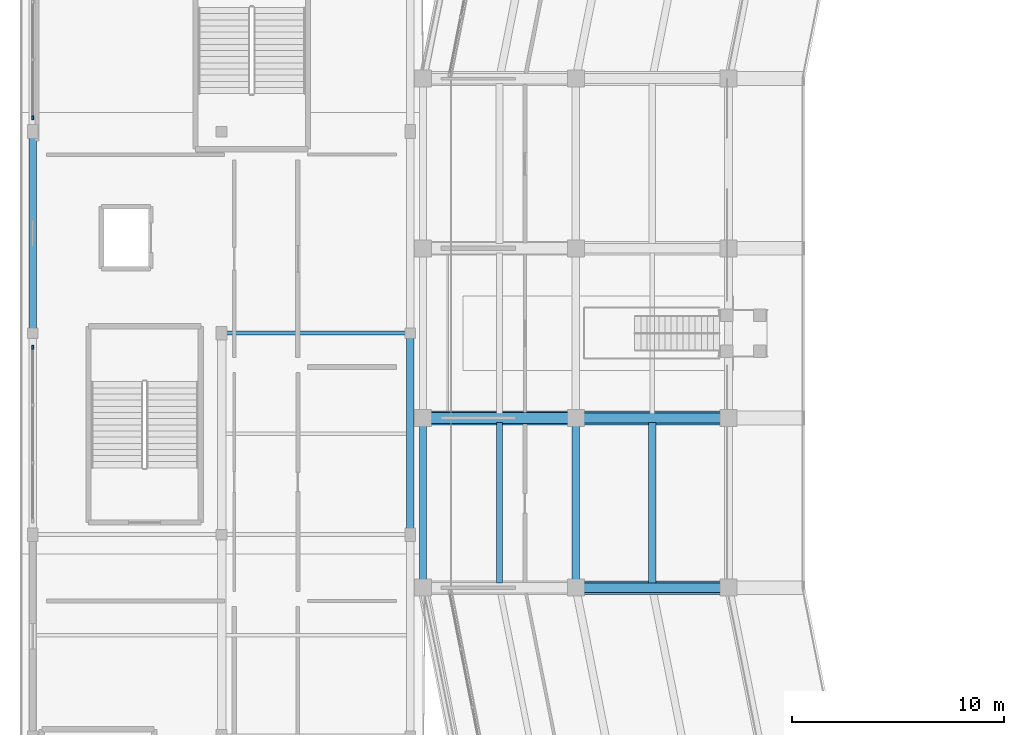
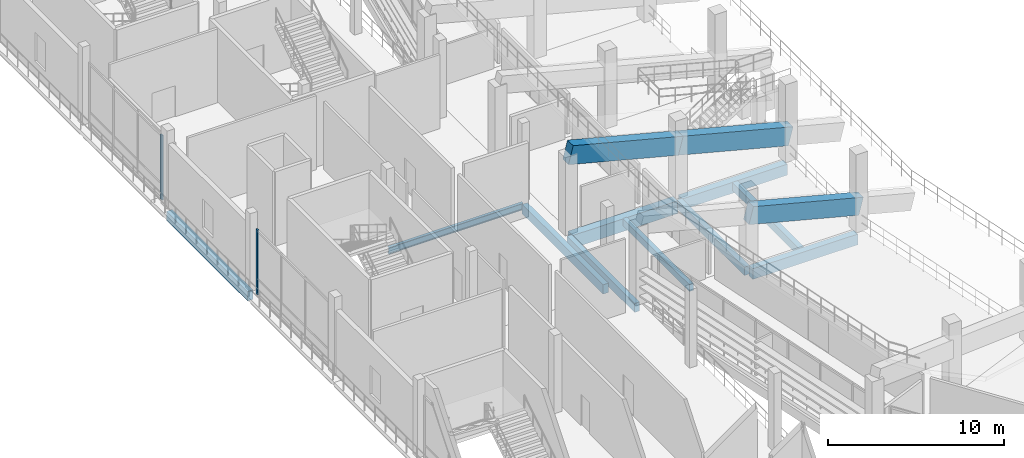
# One storey, part 19 of 96: 13 beams, 2 members, 2 elements without a shape of their own.
"""IFC4 building model written with IfcOpenShell, lengths in metres."""

from ifc_helpers import new_model, si_unit, direction, frame, origin, origin_2d, place, context, subcontext, project, spatial, rectangle, i_section, extrude, material, material_profile, profile_set, type_object, element, aggregate, save


model = new_model("IFC4")

# Units and contexts
model_context = context("Model", 3, precision=1e-05, world=origin(), true_north=direction((0.0, 1.0)))
body_context = subcontext(model_context, "Body", "Model", "MODEL_VIEW")
ifc_project = project(units=[si_unit("LENGTHUNIT", "METRE"), si_unit("AREAUNIT", "SQUARE_METRE"), si_unit("VOLUMEUNIT", "CUBIC_METRE"), si_unit("PLANEANGLEUNIT", "RADIAN"), si_unit("MASSUNIT", "GRAM", prefix="KILO")], contexts=[model_context])

# Site, building, storey
site_placement = place(None, origin())
site = spatial("IfcSite", under=ifc_project, at=site_placement, CompositionType="ELEMENT")
building_placement = place(site_placement, origin())
building = spatial("IfcBuilding", under=site, at=building_placement, Name="Candeia Ridge Stadium", CompositionType="ELEMENT")
storey_placement = place(building_placement, frame((0.0, 0.0, 21.60009765625)))
storey = spatial("IfcBuildingStorey", under=building, at=storey_placement, Name="L04", CompositionType="ELEMENT", Elevation=21.60009765625)

# Beam
ifc_material_1 = material(Name="Concrete C40/50", Category="concrete")
ifc_material_profile_1 = material_profile(ifc_material_1, rectangle(XDim=0.35009765625, YDim=0.550048828125, at=origin_2d()), Name="RC350x550", Category="concrete")
ifc_profile_set_1 = profile_set([ifc_material_profile_1], Name="Concrete C40/50")
beam_type_1 = type_object("IfcBeamType", Name="Concourse Concrete Joist RC350x550", PredefinedType="JOIST", material=ifc_profile_set_1)
beam_1_placement = place(storey_placement, frame((29.800048828125, 78.778076171875, -0.53515625), z_axis=(0.0, -1.0, 0.0), x_axis=(1.0, 0.0, 0.0)))
element("IfcBeam", 1, at=beam_1_placement, inside=storey, type_object=beam_type_1, Name="Concourse secondary joist BM-L04-0856", PredefinedType="JOIST", context=body_context, shape_type="SweptSolid", body=[
    extrude(rectangle(XDim=0.35009765625, YDim=0.550048828125, at=origin_2d()), origin(), (0.0, 0.0, 1.0), 7.55615234375),
])

# Curtain wall, member
ifc_material_2 = material(Name="Aluminium Anodized Warm Bronze", Category="aluminium")
curtain_wall_type = type_object("IfcCurtainWallType", Name="West Pavilion Hospitality Curtain Wall", PredefinedType="NOTDEFINED", material=ifc_material_2)
curtain_wall_1_placement = place(storey_placement, origin())
curtain_wall_1 = element("IfcCurtainWall", 2, at=curtain_wall_1_placement, inside=storey, type_object=curtain_wall_type, Name="Unitised curtain wall CW-WNG-L04-095", PredefinedType="NOTDEFINED")
ifc_material_profile_2 = material_profile(ifc_material_2, rectangle(XDim=0.090087890625, YDim=0.179931640625, at=origin_2d()), Name="CWM-90x180", Category="aluminium")
ifc_profile_set_2 = profile_set([ifc_material_profile_2], Name="Aluminium Anodized Warm Bronze")
member_type = type_object("IfcMemberType", Name="Curtain Wall Primary Mullion 90x180", PredefinedType="MULLION", material=ifc_profile_set_2)
member_1_placement = place(storey_placement, frame((0.60009765625, 82.340087890625, 0.0), z_axis=(0.0, 0.0, 1.0), x_axis=(1.0, 0.0, 0.0)))
member_1 = element("IfcMember", 3, at=member_1_placement, type_object=member_type, Name="Curtain wall mullion CW-WNG-L04-095-M3", PredefinedType="MULLION", context=body_context, shape_type="SweptSolid", body=[
    extrude(rectangle(XDim=0.090087890625, YDim=0.179931640625, at=origin_2d()), origin(), (0.0, 0.0, 1.0), 4.48486328125),
])
aggregate(curtain_wall_1, [member_1])

curtain_wall_2_placement = place(storey_placement, origin())
curtain_wall_2 = element("IfcCurtainWall", 4, at=curtain_wall_2_placement, inside=storey, type_object=curtain_wall_type, Name="Unitised curtain wall CW-WNG-L04-096", PredefinedType="NOTDEFINED")
member_2_placement = place(storey_placement, frame((0.60009765625, 93.159912109375, 0.0), z_axis=(0.0, 0.0, 1.0), x_axis=(1.0, 0.0, 0.0)))
member_2 = element("IfcMember", 5, at=member_2_placement, type_object=member_type, Name="Curtain wall mullion CW-WNG-L04-096-M0", PredefinedType="MULLION", context=body_context, shape_type="SweptSolid", body=[
    extrude(rectangle(XDim=0.090087890625, YDim=0.179931640625, at=origin_2d()), origin(), (0.0, 0.0, 1.0), 4.48486328125),
])
aggregate(curtain_wall_2, [member_2])

# Beams
ifc_material_profile_3 = material_profile(ifc_material_1, rectangle(XDim=0.2900390625, YDim=0.469970703125, at=origin_2d()), Name="RC290x470", Category="concrete")
ifc_profile_set_3 = profile_set([ifc_material_profile_3], Name="Concrete C40/50")
beam_type_2 = type_object("IfcBeamType", Name="Floor Joist RC290x470", PredefinedType="JOIST", material=ifc_profile_set_3)
beam_2_placement = place(storey_placement, frame((22.60009765625, 78.778076171875, -0.4951171875), z_axis=(0.0, -1.0, 0.0), x_axis=(1.0, 0.0, 0.0)))
element("IfcBeam", 6, at=beam_2_placement, inside=storey, type_object=beam_type_2, Name="Concourse secondary joist BM-L04-0857", PredefinedType="JOIST", context=body_context, shape_type="SweptSolid", body=[
    extrude(rectangle(XDim=0.2900390625, YDim=0.469970703125, at=origin_2d()), origin(), (0.0, 0.0, 1.0), 7.55615234375),
])
ifc_material_profile_4 = material_profile(ifc_material_1, rectangle(XDim=0.360107421875, YDim=0.580078125, at=origin_2d()), Name="RC360x580", Category="concrete")
ifc_profile_set_4 = profile_set([ifc_material_profile_4], Name="Concrete C40/50")
beam_type_3 = type_object("IfcBeamType", Name="Frame Girder RC360x580", PredefinedType="BEAM", material=ifc_profile_set_4)
beam_3_placement = place(storey_placement, frame((26.199951171875, 78.840087890625, -0.550048828125), z_axis=(0.0, -1.0, 0.0), x_axis=(1.0, 0.0, 0.0)))
element("IfcBeam", 7, at=beam_3_placement, inside=storey, type_object=beam_type_3, Name="Concourse spine girder BM-L04-0854", PredefinedType="BEAM", context=body_context, shape_type="SweptSolid", body=[
    extrude(rectangle(XDim=0.360107421875, YDim=0.580078125, at=origin_2d()), origin(), (0.0, 0.0, 1.0), 7.68017578125),
])
ifc_material_profile_5 = material_profile(ifc_material_1, rectangle(XDim=0.429931640625, YDim=0.739990234375, at=origin_2d()), Name="RC430x740", Category="concrete")
ifc_profile_set_5 = profile_set([ifc_material_profile_5], Name="Concrete C40/50")
beam_type_4 = type_object("IfcBeamType", Name="Frame Girder RC430x740", PredefinedType="BEAM", material=ifc_profile_set_5)
beam_4_placement = place(storey_placement, frame((33.239990234375, 71.0, -0.630126953125), z_axis=(-1.0, 0.0, 0.0), x_axis=(0.0, -1.0, 0.0)))
element("IfcBeam", 8, at=beam_4_placement, inside=storey, type_object=beam_type_4, Name="Bowl radial girder BM-L04-0749", PredefinedType="BEAM", context=body_context, shape_type="SweptSolid", body=[
    extrude(rectangle(XDim=0.429931640625, YDim=0.739990234375, at=origin_2d()), origin(), (0.0, 0.0, 1.0), 6.8798828125),
])
ifc_material_profile_6 = material_profile(ifc_material_1, rectangle(XDim=0.469970703125, YDim=0.760009765625, at=origin_2d()), Name="RC470x760", Category="concrete")
ifc_profile_set_6 = profile_set([ifc_material_profile_6], Name="Concrete C40/50")
beam_type_5 = type_object("IfcBeamType", Name="Frame Girder RC470x760", PredefinedType="BEAM", material=ifc_profile_set_6)
beam_5_placement = place(storey_placement, frame((33.239990234375, 79.0, -0.64013671875), z_axis=(-1.0, 0.0, 0.0), x_axis=(0.0, -1.0, 0.0)))
element("IfcBeam", 9, at=beam_5_placement, inside=storey, type_object=beam_type_5, Name="Bowl radial girder BM-L04-0747", PredefinedType="BEAM", context=body_context, shape_type="SweptSolid", body=[
    extrude(rectangle(XDim=0.469970703125, YDim=0.760009765625, at=origin_2d()), origin(), (0.0, 0.0, 1.0), 6.8798828125),
])
ifc_material_3 = material(Name="Concrete C45/55", Category="concrete")
ifc_material_profile_7 = material_profile(ifc_material_3, rectangle(XDim=0.52001953125, YDim=0.8798828125, at=origin_2d()), Name="RC520x880", Category="concrete")
ifc_profile_set_7 = profile_set([ifc_material_profile_7], Name="Concrete C45/55")
beam_type_6 = type_object("IfcBeamType", Name="Frame Girder RC520x880", PredefinedType="BEAM", material=ifc_profile_set_7)
beam_6_placement = place(storey_placement, frame((26.0400390625, 79.0, -0.7001953125), z_axis=(-1.0, 0.0, 0.0), x_axis=(0.0, -1.0, 0.0)))
element("IfcBeam", 10, at=beam_6_placement, inside=storey, type_object=beam_type_6, Name="Bowl radial girder BM-L04-0748", PredefinedType="BEAM", context=body_context, shape_type="SweptSolid", body=[
    extrude(rectangle(XDim=0.52001953125, YDim=0.8798828125, at=origin_2d()), origin(), (0.0, 0.0, 1.0), 6.880126953125),
])
ifc_material_4 = material(Name="Steel ASTM A572 Grade 50", Category="steel")
ifc_material_profile_8 = material_profile(ifc_material_4, i_section(OverallWidth=0.18994140625, OverallDepth=0.45703125, WebThickness=0.009033203125, FlangeThickness=0.014404296875, FilletRadius=0.012939453125, at=origin_2d()), Name="W460x74", Category="steel")
ifc_profile_set_8 = profile_set([ifc_material_profile_8], Name="Steel ASTM A572 Grade 50")
beam_type_7 = type_object("IfcBeamType", Name="Pavilion Steel Girder W460x74", PredefinedType="BEAM", material=ifc_profile_set_8)
beam_7_placement = place(storey_placement, frame((9.550048828125, 83.0, -0.488525390625), z_axis=(1.0, 0.0, 0.0), x_axis=(0.0, 1.0, 0.0)))
element("IfcBeam", 11, at=beam_7_placement, inside=storey, type_object=beam_type_7, Name="Structural girder BM-L04-1342", PredefinedType="BEAM", context=body_context, shape_type="SweptSolid", body=[
    extrude(i_section(OverallWidth=0.18994140625, OverallDepth=0.45703125, WebThickness=0.009033203125, FlangeThickness=0.014404296875, FilletRadius=0.012939453125, at=origin_2d()), origin(), (0.0, 0.0, 1.0), 8.800048828125),
])
ifc_material_profile_9 = material_profile(ifc_material_1, rectangle(XDim=0.320068359375, YDim=0.6201171875, at=origin_2d()), Name="RC320x620", Category="concrete")
ifc_profile_set_9 = profile_set([ifc_material_profile_9], Name="Concrete C40/50")
beam_type_8 = type_object("IfcBeamType", Name="Spandrel Beam RC320x620", PredefinedType="SPANDREL", material=ifc_profile_set_9)
beam_8_placement = place(storey_placement, frame((19.0, 78.840087890625, -0.570068359375), z_axis=(0.0, -1.0, 0.0), x_axis=(1.0, 0.0, 0.0)))
element("IfcBeam", 12, at=beam_8_placement, inside=storey, type_object=beam_type_8, Name="Bowl perimeter spandrel BM-L04-0855", PredefinedType="SPANDREL", context=body_context, shape_type="SweptSolid", body=[
    extrude(rectangle(XDim=0.320068359375, YDim=0.6201171875, at=origin_2d()), origin(), (0.0, 0.0, 1.0), 7.68017578125),
])
ifc_material_profile_10 = material_profile(ifc_material_1, rectangle(XDim=0.35009765625, YDim=0.64990234375, at=origin_2d()), Name="RC350x650", Category="concrete")
ifc_profile_set_10 = profile_set([ifc_material_profile_10], Name="Concrete C40/50")
beam_type_9 = type_object("IfcBeamType", Name="Spandrel Beam RC350x650", PredefinedType="SPANDREL", material=ifc_profile_set_10)
for number, where, z_axis, x_axis, name in (
    (13, (0.60009765625, 83.159912109375, -0.585205078125), (0.0, 1.0, 0.0), (-1.0, 0.0, 0.0), "Structural girder BM-L04-1280"),
    (14, (18.39990234375, 73.659912109375, -0.585205078125), (0.0, 1.0, 0.0), (-1.0, 0.0, 0.0), "Structural girder BM-L04-1304"),
):
    element("IfcBeam", number, at=place(storey_placement, frame(where, z_axis=z_axis, x_axis=x_axis)), inside=storey, type_object=beam_type_9, Name=name, PredefinedType="SPANDREL", context=body_context, shape_type="SweptSolid", body=[
        extrude(rectangle(XDim=0.35009765625, YDim=0.64990234375, at=origin_2d()), origin(), (0.0, 0.0, 1.0), 9.18017578125),
    ])
ifc_material_profile_11 = material_profile(ifc_material_3, rectangle(XDim=0.6201171875, YDim=1.179931640625, at=origin_2d()), Name="RC620x1180", Category="concrete")
ifc_profile_set_11 = profile_set([ifc_material_profile_11], Name="Concrete C45/55")
beam_type_10 = type_object("IfcBeamType", Name="Stand Raker Beam RC620x1180", PredefinedType="USERDEFINED", material=ifc_profile_set_11)
beam_9_placement = place(storey_placement, frame((33.39990234375, 71.0, 1.66796875), z_axis=(-0.968083084121, 0.0, 0.250629491956), x_axis=(0.0, -1.0, 0.0)))
element("IfcBeam", 15, at=beam_9_placement, inside=storey, type_object=beam_type_10, Name="Stand T3 inner raker beam 15", ObjectType="RAKER", PredefinedType="USERDEFINED", context=body_context, shape_type="SweptSolid", body=[
    extrude(rectangle(XDim=0.6201171875, YDim=1.179931640625, at=origin_2d()), origin(), (0.0, 0.0, 1.0), 7.437255859375),
])
ifc_material_profile_12 = material_profile(ifc_material_3, rectangle(XDim=0.64990234375, YDim=1.25, at=origin_2d()), Name="RC650x1250", Category="concrete")
ifc_profile_set_12 = profile_set([ifc_material_profile_12], Name="Concrete C45/55")
beam_type_11 = type_object("IfcBeamType", Name="Stand Raker Beam RC650x1250", PredefinedType="USERDEFINED", material=ifc_profile_set_12)
beam_10_placement = place(storey_placement, frame((33.39990234375, 79.0, 1.66796875), z_axis=(-0.968083084121, 0.0, 0.250629491956), x_axis=(0.0, -1.0, 0.0)))
element("IfcBeam", 16, at=beam_10_placement, inside=storey, type_object=beam_type_11, Name="Stand T3 inner raker beam 14", ObjectType="RAKER", PredefinedType="USERDEFINED", context=body_context, shape_type="SweptSolid", body=[
    extrude(rectangle(XDim=0.64990234375, YDim=1.25, at=origin_2d()), origin(), (0.0, 0.0, 1.0), 7.437255859375),
])
beam_11_placement = place(storey_placement, frame((26.199951171875, 79.0, 3.531982421875), z_axis=(-0.968067153083, 0.0, 0.250691019229), x_axis=(0.0, -1.0, 0.0)))
element("IfcBeam", 17, at=beam_11_placement, inside=storey, type_object=beam_type_11, Name="Stand T3 outer raker beam 14", ObjectType="RAKER", PredefinedType="USERDEFINED", context=body_context, shape_type="SweptSolid", body=[
    extrude(rectangle(XDim=0.64990234375, YDim=1.25, at=origin_2d()), origin(), (0.0, 0.0, 1.0), 7.4375),
])

save(model, "model.ifc")
